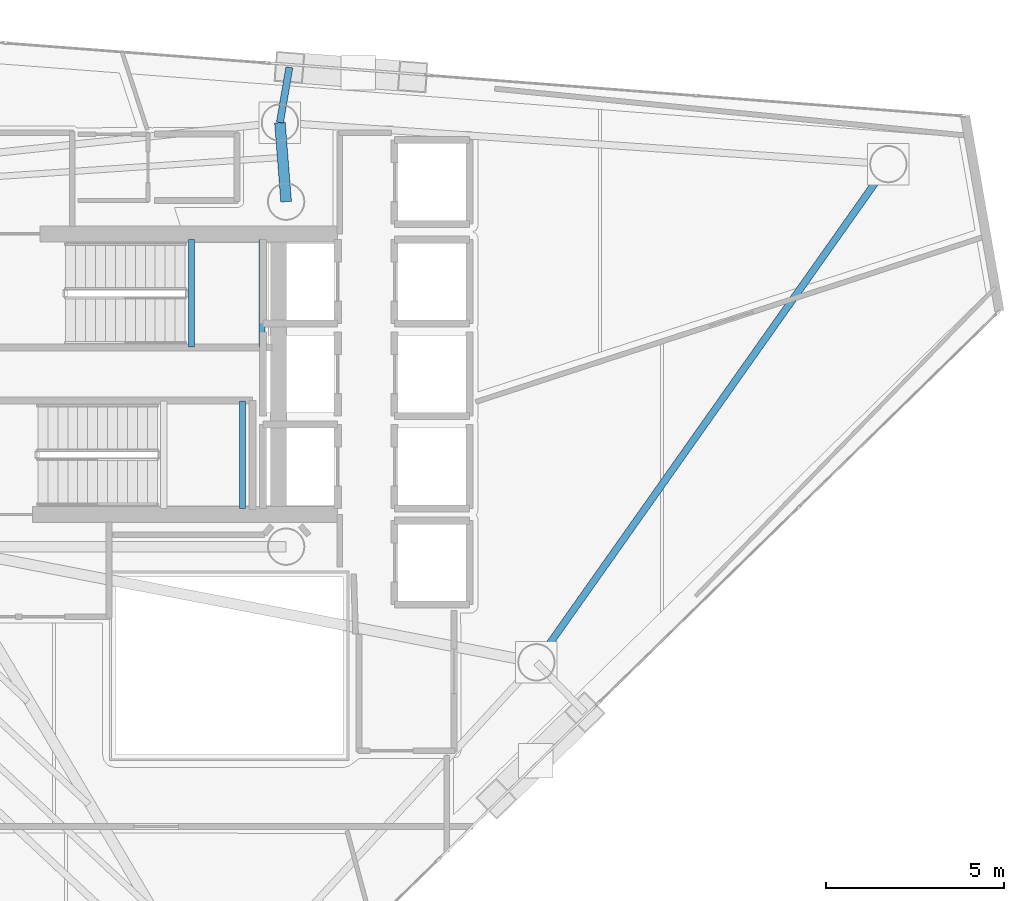
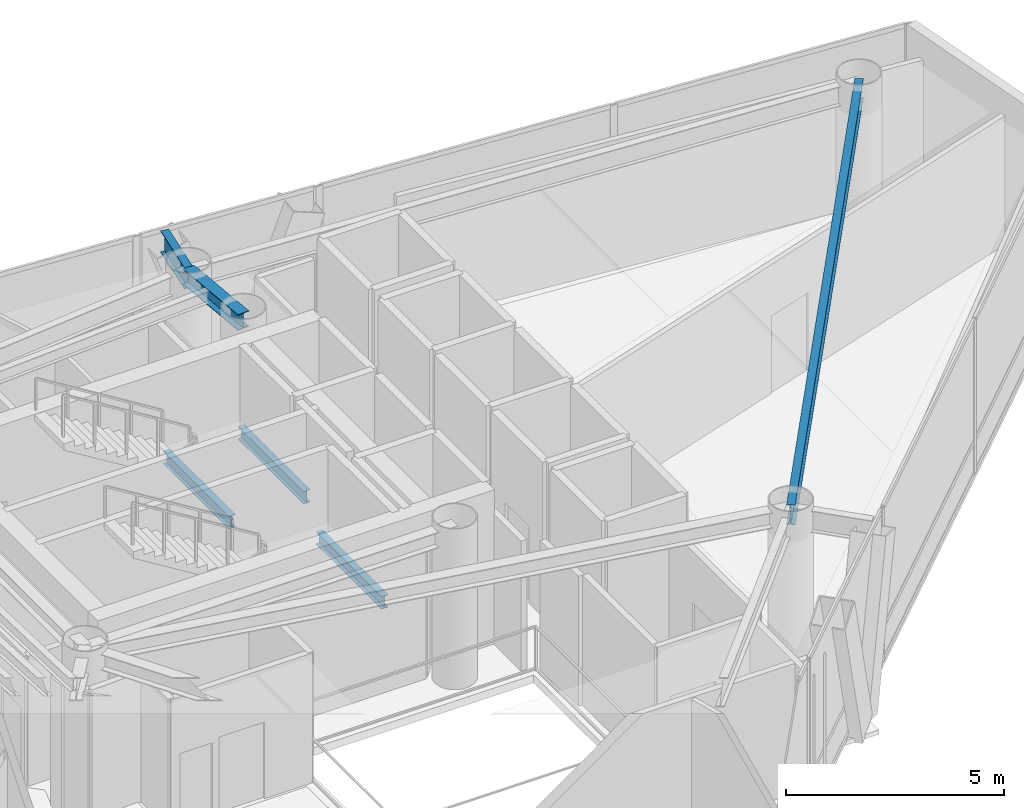
# One storey, part 12 of 21: 6 beams.
"""IFC4 building model written with IfcOpenShell, lengths in metres."""

from ifc_helpers import new_model, si_unit, direction, frame, origin, origin_2d, place, context, subcontext, project, spatial, i_section, extrude, material, material_profile, profile_set, type_object, element, save


model = new_model("IFC4")

# Units and contexts
model_context = context("Model", 3, precision=1e-05, world=origin(), true_north=direction((0.0, 1.0)))
body_context = subcontext(model_context, "Body", "Model", "MODEL_VIEW")
ifc_project = project(units=[si_unit("LENGTHUNIT", "METRE"), si_unit("AREAUNIT", "SQUARE_METRE"), si_unit("VOLUMEUNIT", "CUBIC_METRE"), si_unit("PLANEANGLEUNIT", "RADIAN"), si_unit("MASSUNIT", "GRAM", prefix="KILO")], contexts=[model_context])

# Site, building, storey
site_placement = place(None, origin())
site = spatial("IfcSite", under=ifc_project, at=site_placement, CompositionType="ELEMENT")
building_placement = place(site_placement, origin())
building = spatial("IfcBuilding", under=site, at=building_placement, Name="Qianvela Tower", CompositionType="ELEMENT")
storey_placement = place(building_placement, frame((0.0, 0.0, 234.5)))
storey = spatial("IfcBuildingStorey", under=building, at=storey_placement, Name="L60", CompositionType="ELEMENT", Elevation=234.5)

# Beams
ifc_material_1 = material(Name="Steel Q355B", Category="steel")
ifc_material_profile_1 = material_profile(ifc_material_1, i_section(OverallWidth=0.300048828125, OverallDepth=0.43994140625, WebThickness=0.010986328125, FlangeThickness=0.01806640625, at=origin_2d()), Name="HM440x300x11x18")
ifc_profile_set_1 = profile_set([ifc_material_profile_1], Name="Steel Q355B")
beam_type_1 = type_object("IfcBeamType", Name="BM-HM440-COLL", PredefinedType="BEAM", material=ifc_profile_set_1)
beam_1_placement = place(storey_placement, frame((38.39990234375, 33.550048828125, 4.097900390625), z_axis=(-0.078396085685, 0.996922290727, 0.0), x_axis=(-0.996922290727, -0.078396085685, 0.0)))
element("IfcBeam", 1, at=beam_1_placement, inside=storey, type_object=beam_type_1, Name="L60 Radial Primary Floor Girder 2", PredefinedType="BEAM", context=body_context, shape_type="SweptSolid", body=[
    extrude(i_section(OverallWidth=0.300048828125, OverallDepth=0.43994140625, WebThickness=0.010986328125, FlangeThickness=0.01806640625, at=origin_2d()), origin(), (0.0, 0.0, 1.0), 2.229736328125),
])
ifc_material_2 = material(Name="Steel Q355B", Category="steel")
ifc_material_profile_2 = material_profile(ifc_material_2, i_section(OverallWidth=0.175048828125, OverallDepth=0.35009765625, WebThickness=0.007080078125, FlangeThickness=0.010986328125, at=origin_2d()), Name="HN350x175x7x11")
ifc_profile_set_2 = profile_set([ifc_material_profile_2], Name="Steel Q355B")
beam_type_2 = type_object("IfcBeamType", Name="BM-HN350-JOIST", PredefinedType="JOIST", material=ifc_profile_set_2)
for number, where, z_axis, x_axis, name in (
    (2, (35.739990234375, 29.4599609375, 1.875), (0.0, 1.0, 0.0), (-1.0, 0.0, 0.0), "L60 Stair ST-1 Landing Support Beam 1.1"),
    (3, (37.719970703125, 29.4599609375, 1.875), (0.0, 1.0, 0.0), (-1.0, 0.0, 0.0), "L60 Stair ST-1 Landing Support Beam 1.2"),
    (4, (37.169921875, 24.919921875, 1.875), (0.0, 1.0, 0.0), (-1.0, 0.0, 0.0), "L60 Stair ST-2 Landing Support Beam 1.2"),
):
    element("IfcBeam", number, at=place(storey_placement, frame(where, z_axis=z_axis, x_axis=x_axis)), inside=storey, type_object=beam_type_2, Name=name, PredefinedType="JOIST", context=body_context, shape_type="SweptSolid", body=[
        extrude(i_section(OverallWidth=0.175048828125, OverallDepth=0.35009765625, WebThickness=0.007080078125, FlangeThickness=0.010986328125, at=origin_2d()), origin(), (0.0, 0.0, 1.0), 3.02001953125),
    ])
ifc_material_3 = material(Name="Steel Q355B", Category="steel")
ifc_material_profile_3 = material_profile(ifc_material_3, i_section(OverallWidth=0.199951171875, OverallDepth=0.550048828125, WebThickness=0.010009765625, FlangeThickness=0.01611328125, at=origin_2d()), Name="HN550x200x10x16")
ifc_profile_set_3 = profile_set([ifc_material_profile_3], Name="Steel Q355B")
beam_type_3 = type_object("IfcBeamType", Name="BM-HN550-GIRD", PredefinedType="BEAM", material=ifc_profile_set_3)
beam_2_placement = place(storey_placement, frame((45.43603515625, 20.597900390625, 4.04296875), z_axis=(0.577019604961, 0.816730295441, 0.0), x_axis=(-0.816730295441, 0.577019604961, 0.0)))
element("IfcBeam", 5, at=beam_2_placement, inside=storey, type_object=beam_type_3, Name="L60 Perimeter Ring Spandrel Girder 6", PredefinedType="BEAM", context=body_context, shape_type="SweptSolid", body=[
    extrude(i_section(OverallWidth=0.199951171875, OverallDepth=0.550048828125, WebThickness=0.010009765625, FlangeThickness=0.01611328125, at=origin_2d()), origin(), (0.0, 0.0, 1.0), 17.150146484375),
])
ifc_material_4 = material(Name="Steel Q355B", Category="steel")
ifc_material_profile_4 = material_profile(ifc_material_4, i_section(OverallWidth=0.199951171875, OverallDepth=0.60009765625, WebThickness=0.010986328125, FlangeThickness=0.01708984375, at=origin_2d()), Name="HN600x200x11x17")
ifc_profile_set_4 = profile_set([ifc_material_profile_4], Name="Steel Q355B")
beam_type_4 = type_object("IfcBeamType", Name="BM-HN600-GIRD", PredefinedType="BEAM", material=ifc_profile_set_4)
beam_3_placement = place(storey_placement, frame((38.22509765625, 35.77294921875, 4.01806640625), z_axis=(0.168817655035, 0.985647299671, 0.0), x_axis=(-0.985647299671, 0.168817655035, 0.0)))
element("IfcBeam", 6, at=beam_3_placement, inside=storey, type_object=beam_type_4, Name="L60 Mega-Brace Column Tie Bracket F1-2", PredefinedType="BEAM", context=body_context, shape_type="SweptSolid", body=[
    extrude(i_section(OverallWidth=0.199951171875, OverallDepth=0.60009765625, WebThickness=0.010986328125, FlangeThickness=0.01708984375, at=origin_2d()), origin(), (0.0, 0.0, 1.0), 1.576416015625),
])

save(model, "model.ifc")
